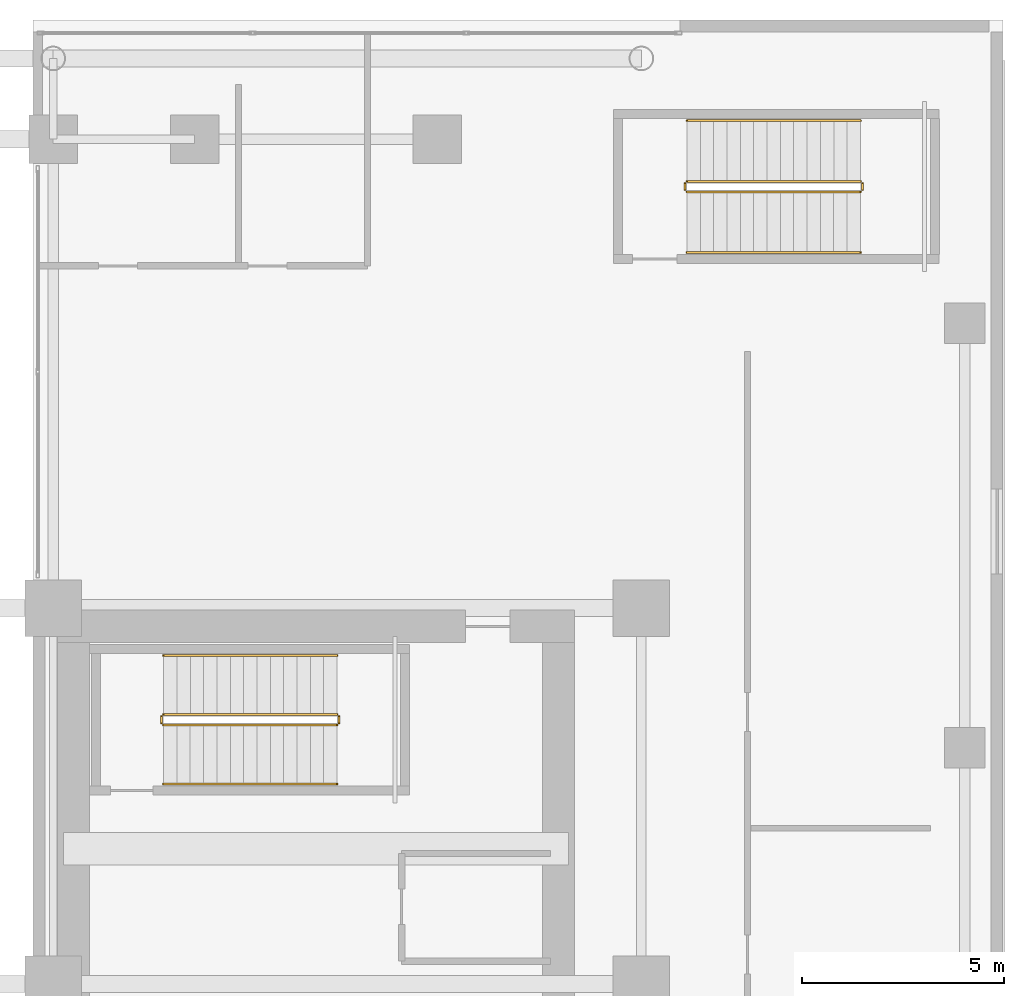
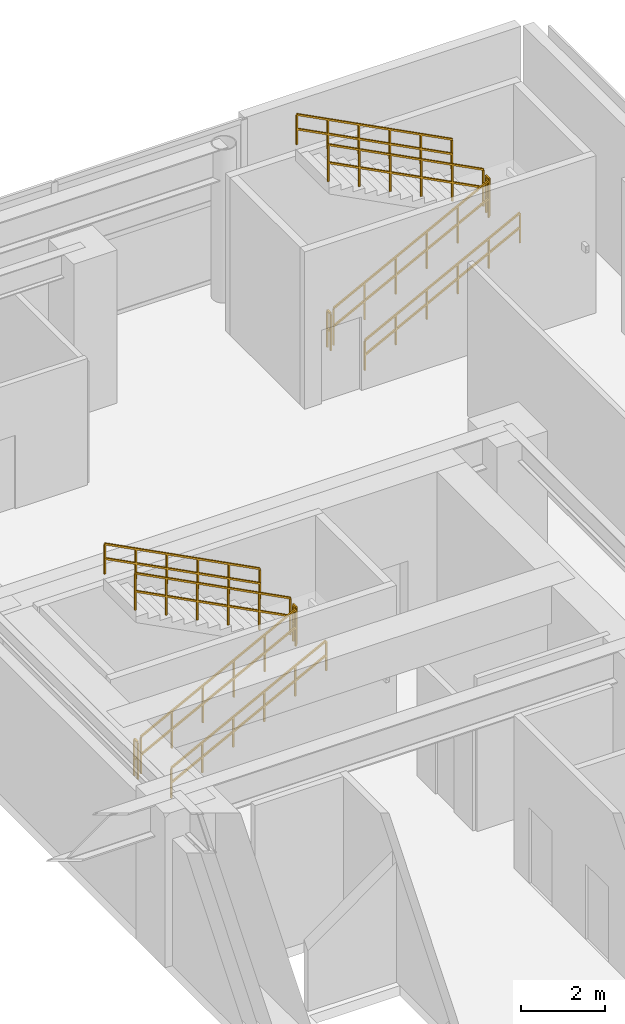
# One storey, part 29 of 30: 12 railings.
"""IFC4 building model written with IfcOpenShell, lengths in metres."""

from ifc_helpers import new_model, si_unit, direction, frame, origin, origin_2d, place, context, subcontext, project, spatial, rectangle, extrude, material, type_object, element, save


model = new_model("IFC4")

# Units and contexts
model_context = context("Model", 3, precision=1e-05, world=origin(), true_north=direction((0.0, 1.0)))
body_context = subcontext(model_context, "Body", "Model", "MODEL_VIEW")
ifc_project = project(units=[si_unit("LENGTHUNIT", "METRE"), si_unit("AREAUNIT", "SQUARE_METRE"), si_unit("VOLUMEUNIT", "CUBIC_METRE"), si_unit("PLANEANGLEUNIT", "RADIAN"), si_unit("MASSUNIT", "GRAM", prefix="KILO")], contexts=[model_context])

# Site, building, storey
site_placement = place(None, origin())
site = spatial("IfcSite", under=ifc_project, at=site_placement, CompositionType="ELEMENT")
building_placement = place(site_placement, origin())
building = spatial("IfcBuilding", under=site, at=building_placement, Name="Ocotamira Hotel", CompositionType="ELEMENT")
storey_placement = place(building_placement, frame((0.0, 0.0, 19.199951171875)))
storey = spatial("IfcBuildingStorey", under=building, at=storey_placement, Name="L04", CompositionType="ELEMENT", Elevation=19.199951171875)

# Railings
ifc_material_1 = material(Name="Brushed stainless steel handrail", Category="steel")
railing_type_1 = type_object("IfcRailingType", Name="RL-HAND-900", PredefinedType="HANDRAIL", material=ifc_material_1)
railing_1_placement = place(storey_placement, frame((43.22998046875, 33.10009765625, 0.343017578125)))
element("IfcRailing", 1, at=railing_1_placement, inside=storey, type_object=railing_type_1, Name="L04 ST-4 stair handrail 1", PredefinedType="HANDRAIL", context=body_context, shape_type="SweptSolid", body=[
    extrude(rectangle(XDim=0.048095703125, YDim=0.048095703125, at=origin_2d()), frame((0.0, 0.0, 0.8759765625), z_axis=(0.887411858541, 0.0, 0.46097743255), x_axis=(0.0, 1.0, 0.0)), (0.0, 0.0, 1.0), 4.834228515625),
    extrude(rectangle(XDim=0.048095703125, YDim=0.048095703125, at=origin_2d()), frame((0.0, 0.0, 0.449951171875), z_axis=(0.887411858541, 0.0, 0.46097743255), x_axis=(0.0, 1.0, 0.0)), (0.0, 0.0, 1.0), 4.834228515625),
    extrude(rectangle(XDim=0.0419921875, YDim=0.0419921875, at=origin_2d()), origin(), (0.0, 0.0, 1.0), 0.851806640625),
    extrude(rectangle(XDim=0.0419921875, YDim=0.0419921875, at=origin_2d()), frame((0.85791015625, 0.0, 0.44580078125)), (0.0, 0.0, 1.0), 0.851806640625),
    extrude(rectangle(XDim=0.0419921875, YDim=0.0419921875, at=origin_2d()), frame((1.716064453125, 0.0, 0.891357421875)), (0.0, 0.0, 1.0), 0.851806640625),
    extrude(rectangle(XDim=0.0419921875, YDim=0.0419921875, at=origin_2d()), frame((2.573974609375, 0.0, 1.337158203125)), (0.0, 0.0, 1.0), 0.851806640625),
    extrude(rectangle(XDim=0.0419921875, YDim=0.0419921875, at=origin_2d()), frame((3.43212890625, 0.0, 1.78271484375)), (0.0, 0.0, 1.0), 0.851806640625),
    extrude(rectangle(XDim=0.0419921875, YDim=0.0419921875, at=origin_2d()), frame((4.2900390625, 0.0, 2.228515625)), (0.0, 0.0, 1.0), 0.851806640625),
])
railing_2_placement = place(storey_placement, frame((47.52001953125, 36.280029296875, 2.742919921875)))
element("IfcRailing", 2, at=railing_2_placement, inside=storey, type_object=railing_type_1, Name="L04 ST-4 stair handrail 2", PredefinedType="HANDRAIL", context=body_context, shape_type="SweptSolid", body=[
    extrude(rectangle(XDim=0.048095703125, YDim=0.048095703125, at=origin_2d()), frame((0.0, 0.0, 0.8759765625), z_axis=(-0.887411858541, 0.0, 0.46097743255), x_axis=(0.0, -1.0, 0.0)), (0.0, 0.0, 1.0), 4.834228515625),
    extrude(rectangle(XDim=0.048095703125, YDim=0.048095703125, at=origin_2d()), frame((0.0, 0.0, 0.449951171875), z_axis=(-0.887411858541, 0.0, 0.46097743255), x_axis=(0.0, -1.0, 0.0)), (0.0, 0.0, 1.0), 4.834228515625),
    extrude(rectangle(XDim=0.0419921875, YDim=0.0419921875, at=origin_2d()), origin(), (0.0, 0.0, 1.0), 0.851806640625),
    extrude(rectangle(XDim=0.0419921875, YDim=0.0419921875, at=origin_2d()), frame((-0.85791015625, 0.0, 0.44580078125)), (0.0, 0.0, 1.0), 0.851806640625),
    extrude(rectangle(XDim=0.0419921875, YDim=0.0419921875, at=origin_2d()), frame((-1.716064453125, 0.0, 0.891357421875)), (0.0, 0.0, 1.0), 0.851806640625),
    extrude(rectangle(XDim=0.0419921875, YDim=0.0419921875, at=origin_2d()), frame((-2.573974609375, 0.0, 1.337158203125)), (0.0, 0.0, 1.0), 0.851806640625),
    extrude(rectangle(XDim=0.0419921875, YDim=0.0419921875, at=origin_2d()), frame((-3.43212890625, 0.0, 1.78271484375)), (0.0, 0.0, 1.0), 0.851806640625),
    extrude(rectangle(XDim=0.0419921875, YDim=0.0419921875, at=origin_2d()), frame((-4.2900390625, 0.0, 2.228515625)), (0.0, 0.0, 1.0), 0.851806640625),
])
railing_3_placement = place(storey_placement, frame((56.179931640625, 46.25, 0.343017578125)))
element("IfcRailing", 3, at=railing_3_placement, inside=storey, type_object=railing_type_1, Name="L04 ST-6 stair handrail 1", PredefinedType="HANDRAIL", context=body_context, shape_type="SweptSolid", body=[
    extrude(rectangle(XDim=0.048095703125, YDim=0.048095703125, at=origin_2d()), frame((0.0, 0.0, 0.8759765625), z_axis=(0.887411858541, 0.0, 0.46097743255), x_axis=(0.0, 1.0, 0.0)), (0.0, 0.0, 1.0), 4.834228515625),
    extrude(rectangle(XDim=0.048095703125, YDim=0.048095703125, at=origin_2d()), frame((0.0, 0.0, 0.449951171875), z_axis=(0.887411858541, 0.0, 0.46097743255), x_axis=(0.0, 1.0, 0.0)), (0.0, 0.0, 1.0), 4.834228515625),
    extrude(rectangle(XDim=0.0419921875, YDim=0.0419921875, at=origin_2d()), origin(), (0.0, 0.0, 1.0), 0.851806640625),
    extrude(rectangle(XDim=0.0419921875, YDim=0.0419921875, at=origin_2d()), frame((0.85791015625, 0.0, 0.44580078125)), (0.0, 0.0, 1.0), 0.851806640625),
    extrude(rectangle(XDim=0.0419921875, YDim=0.0419921875, at=origin_2d()), frame((1.716064453125, 0.0, 0.891357421875)), (0.0, 0.0, 1.0), 0.851806640625),
    extrude(rectangle(XDim=0.0419921875, YDim=0.0419921875, at=origin_2d()), frame((2.573974609375, 0.0, 1.337158203125)), (0.0, 0.0, 1.0), 0.851806640625),
    extrude(rectangle(XDim=0.0419921875, YDim=0.0419921875, at=origin_2d()), frame((3.43212890625, 0.0, 1.78271484375)), (0.0, 0.0, 1.0), 0.851806640625),
    extrude(rectangle(XDim=0.0419921875, YDim=0.0419921875, at=origin_2d()), frame((4.2900390625, 0.0, 2.228515625)), (0.0, 0.0, 1.0), 0.851806640625),
])
railing_4_placement = place(storey_placement, frame((60.469970703125, 49.510009765625, 2.742919921875)))
element("IfcRailing", 4, at=railing_4_placement, inside=storey, type_object=railing_type_1, Name="L04 ST-6 stair handrail 2", PredefinedType="HANDRAIL", context=body_context, shape_type="SweptSolid", body=[
    extrude(rectangle(XDim=0.048095703125, YDim=0.048095703125, at=origin_2d()), frame((0.0, 0.0, 0.8759765625), z_axis=(-0.887411858541, 0.0, 0.46097743255), x_axis=(0.0, -1.0, 0.0)), (0.0, 0.0, 1.0), 4.834228515625),
    extrude(rectangle(XDim=0.048095703125, YDim=0.048095703125, at=origin_2d()), frame((0.0, 0.0, 0.449951171875), z_axis=(-0.887411858541, 0.0, 0.46097743255), x_axis=(0.0, -1.0, 0.0)), (0.0, 0.0, 1.0), 4.834228515625),
    extrude(rectangle(XDim=0.0419921875, YDim=0.0419921875, at=origin_2d()), origin(), (0.0, 0.0, 1.0), 0.851806640625),
    extrude(rectangle(XDim=0.0419921875, YDim=0.0419921875, at=origin_2d()), frame((-0.85791015625, 0.0, 0.44580078125)), (0.0, 0.0, 1.0), 0.851806640625),
    extrude(rectangle(XDim=0.0419921875, YDim=0.0419921875, at=origin_2d()), frame((-1.716064453125, 0.0, 0.891357421875)), (0.0, 0.0, 1.0), 0.851806640625),
    extrude(rectangle(XDim=0.0419921875, YDim=0.0419921875, at=origin_2d()), frame((-2.573974609375, 0.0, 1.337158203125)), (0.0, 0.0, 1.0), 0.851806640625),
    extrude(rectangle(XDim=0.0419921875, YDim=0.0419921875, at=origin_2d()), frame((-3.43212890625, 0.0, 1.78271484375)), (0.0, 0.0, 1.0), 0.851806640625),
    extrude(rectangle(XDim=0.0419921875, YDim=0.0419921875, at=origin_2d()), frame((-4.2900390625, 0.0, 2.228515625)), (0.0, 0.0, 1.0), 0.851806640625),
])
ifc_material_2 = material(Name="Painted steel stair guardrail", Category="steel")
railing_type_2 = type_object("IfcRailingType", Name="RL-STAIR-1100", PredefinedType="GUARDRAIL", material=ifc_material_2)
railing_5_placement = place(storey_placement, frame((43.22998046875, 34.56005859375, 0.17138671875)))
element("IfcRailing", 5, at=railing_5_placement, inside=storey, type_object=railing_type_2, Name="L04 ST-4 stair guard 1", PredefinedType="GUARDRAIL", context=body_context, shape_type="SweptSolid", body=[
    extrude(rectangle(XDim=0.048095703125, YDim=0.048095703125, at=origin_2d()), frame((0.0, 0.0, 1.076171875), z_axis=(0.887391199149, 0.0, 0.46101720106), x_axis=(0.0, 1.0, 0.0)), (0.0, 0.0, 1.0), 4.83447265625),
    extrude(rectangle(XDim=0.048095703125, YDim=0.048095703125, at=origin_2d()), frame((0.0, 0.0, 0.550048828125), z_axis=(0.887391199149, 0.0, 0.46101720106), x_axis=(0.0, 1.0, 0.0)), (0.0, 0.0, 1.0), 4.83447265625),
    extrude(rectangle(XDim=0.0419921875, YDim=0.0419921875, at=origin_2d()), origin(), (0.0, 0.0, 1.0), 1.052001953125),
    extrude(rectangle(XDim=0.0419921875, YDim=0.0419921875, at=origin_2d()), frame((0.85791015625, 0.0, 0.44580078125)), (0.0, 0.0, 1.0), 1.052001953125),
    extrude(rectangle(XDim=0.0419921875, YDim=0.0419921875, at=origin_2d()), frame((1.716064453125, 0.0, 0.8916015625)), (0.0, 0.0, 1.0), 1.052001953125),
    extrude(rectangle(XDim=0.0419921875, YDim=0.0419921875, at=origin_2d()), frame((2.573974609375, 0.0, 1.337158203125)), (0.0, 0.0, 1.0), 1.052001953125),
    extrude(rectangle(XDim=0.0419921875, YDim=0.0419921875, at=origin_2d()), frame((3.43212890625, 0.0, 1.782958984375)), (0.0, 0.0, 1.0), 1.052001953125),
    extrude(rectangle(XDim=0.0419921875, YDim=0.0419921875, at=origin_2d()), frame((4.2900390625, 0.0, 2.228759765625)), (0.0, 0.0, 1.0), 1.052001953125),
])
railing_6_placement = place(storey_placement, frame((47.570068359375, 34.610107421875, 2.400146484375)))
element("IfcRailing", 6, at=railing_6_placement, inside=storey, type_object=railing_type_2, Name="L04 ST-4 stair guard 2", PredefinedType="GUARDRAIL", context=body_context, shape_type="SweptSolid", body=[
    extrude(rectangle(XDim=0.048095703125, YDim=0.048095703125, at=origin_2d()), frame((0.0, 0.0, 1.076171875), z_axis=(0.0, 1.0, 0.0), x_axis=(-1.0, 0.0, 0.0)), (0.0, 0.0, 1.0), 0.159912109375),
    extrude(rectangle(XDim=0.048095703125, YDim=0.048095703125, at=origin_2d()), frame((0.0, 0.0, 0.550048828125), z_axis=(0.0, 1.0, 0.0), x_axis=(-1.0, 0.0, 0.0)), (0.0, 0.0, 1.0), 0.159912109375),
    extrude(rectangle(XDim=0.0419921875, YDim=0.0419921875, at=origin_2d()), origin(), (0.0, 0.0, 1.0), 1.052001953125),
    extrude(rectangle(XDim=0.0419921875, YDim=0.0419921875, at=origin_2d()), frame((0.0, 0.159912109375, 0.0)), (0.0, 0.0, 1.0), 1.052001953125),
])
railing_7_placement = place(storey_placement, frame((47.52001953125, 34.820068359375, 2.571533203125)))
element("IfcRailing", 7, at=railing_7_placement, inside=storey, type_object=railing_type_2, Name="L04 ST-4 stair guard 3", PredefinedType="GUARDRAIL", context=body_context, shape_type="SweptSolid", body=[
    extrude(rectangle(XDim=0.048095703125, YDim=0.048095703125, at=origin_2d()), frame((0.0, 0.0, 1.076171875), z_axis=(-0.887411858541, 0.0, 0.46097743255), x_axis=(0.0, -1.0, 0.0)), (0.0, 0.0, 1.0), 4.834228515625),
    extrude(rectangle(XDim=0.048095703125, YDim=0.048095703125, at=origin_2d()), frame((0.0, 0.0, 0.550048828125), z_axis=(-0.887411858541, 0.0, 0.46097743255), x_axis=(0.0, -1.0, 0.0)), (0.0, 0.0, 1.0), 4.834228515625),
    extrude(rectangle(XDim=0.0419921875, YDim=0.0419921875, at=origin_2d()), origin(), (0.0, 0.0, 1.0), 1.052001953125),
    extrude(rectangle(XDim=0.0419921875, YDim=0.0419921875, at=origin_2d()), frame((-0.85791015625, 0.0, 0.44580078125)), (0.0, 0.0, 1.0), 1.052001953125),
    extrude(rectangle(XDim=0.0419921875, YDim=0.0419921875, at=origin_2d()), frame((-1.716064453125, 0.0, 0.891357421875)), (0.0, 0.0, 1.0), 1.052001953125),
    extrude(rectangle(XDim=0.0419921875, YDim=0.0419921875, at=origin_2d()), frame((-2.573974609375, 0.0, 1.337158203125)), (0.0, 0.0, 1.0), 1.052001953125),
    extrude(rectangle(XDim=0.0419921875, YDim=0.0419921875, at=origin_2d()), frame((-3.43212890625, 0.0, 1.78271484375)), (0.0, 0.0, 1.0), 1.052001953125),
    extrude(rectangle(XDim=0.0419921875, YDim=0.0419921875, at=origin_2d()), frame((-4.2900390625, 0.0, 2.228515625)), (0.0, 0.0, 1.0), 1.052001953125),
])
railing_8_placement = place(storey_placement, frame((43.179931640625, 34.610107421875, 0.0)))
element("IfcRailing", 8, at=railing_8_placement, inside=storey, type_object=railing_type_2, Name="L04 ST-4 stair guard 4", PredefinedType="GUARDRAIL", context=body_context, shape_type="SweptSolid", body=[
    extrude(rectangle(XDim=0.048095703125, YDim=0.048095703125, at=origin_2d()), frame((0.0, 0.0, 1.076171875), z_axis=(0.0, 1.0, 0.0), x_axis=(-1.0, 0.0, 0.0)), (0.0, 0.0, 1.0), 0.159912109375),
    extrude(rectangle(XDim=0.048095703125, YDim=0.048095703125, at=origin_2d()), frame((0.0, 0.0, 0.550048828125), z_axis=(0.0, 1.0, 0.0), x_axis=(-1.0, 0.0, 0.0)), (0.0, 0.0, 1.0), 0.159912109375),
    extrude(rectangle(XDim=0.0419921875, YDim=0.0419921875, at=origin_2d()), origin(), (0.0, 0.0, 1.0), 1.052001953125),
    extrude(rectangle(XDim=0.0419921875, YDim=0.0419921875, at=origin_2d()), frame((0.0, 0.159912109375, 0.0)), (0.0, 0.0, 1.0), 1.052001953125),
])
railing_9_placement = place(storey_placement, frame((56.179931640625, 47.75, 0.17138671875)))
element("IfcRailing", 9, at=railing_9_placement, inside=storey, type_object=railing_type_2, Name="L04 ST-6 stair guard 1", PredefinedType="GUARDRAIL", context=body_context, shape_type="SweptSolid", body=[
    extrude(rectangle(XDim=0.048095703125, YDim=0.048095703125, at=origin_2d()), frame((0.0, 0.0, 1.076171875), z_axis=(0.887391199149, 0.0, 0.46101720106), x_axis=(0.0, 1.0, 0.0)), (0.0, 0.0, 1.0), 4.83447265625),
    extrude(rectangle(XDim=0.048095703125, YDim=0.048095703125, at=origin_2d()), frame((0.0, 0.0, 0.550048828125), z_axis=(0.887391199149, 0.0, 0.46101720106), x_axis=(0.0, 1.0, 0.0)), (0.0, 0.0, 1.0), 4.83447265625),
    extrude(rectangle(XDim=0.0419921875, YDim=0.0419921875, at=origin_2d()), origin(), (0.0, 0.0, 1.0), 1.052001953125),
    extrude(rectangle(XDim=0.0419921875, YDim=0.0419921875, at=origin_2d()), frame((0.85791015625, 0.0, 0.44580078125)), (0.0, 0.0, 1.0), 1.052001953125),
    extrude(rectangle(XDim=0.0419921875, YDim=0.0419921875, at=origin_2d()), frame((1.716064453125, 0.0, 0.8916015625)), (0.0, 0.0, 1.0), 1.052001953125),
    extrude(rectangle(XDim=0.0419921875, YDim=0.0419921875, at=origin_2d()), frame((2.573974609375, 0.0, 1.337158203125)), (0.0, 0.0, 1.0), 1.052001953125),
    extrude(rectangle(XDim=0.0419921875, YDim=0.0419921875, at=origin_2d()), frame((3.43212890625, 0.0, 1.782958984375)), (0.0, 0.0, 1.0), 1.052001953125),
    extrude(rectangle(XDim=0.0419921875, YDim=0.0419921875, at=origin_2d()), frame((4.2900390625, 0.0, 2.228759765625)), (0.0, 0.0, 1.0), 1.052001953125),
])
railing_10_placement = place(storey_placement, frame((60.52001953125, 47.800048828125, 2.400146484375)))
element("IfcRailing", 10, at=railing_10_placement, inside=storey, type_object=railing_type_2, Name="L04 ST-6 stair guard 2", PredefinedType="GUARDRAIL", context=body_context, shape_type="SweptSolid", body=[
    extrude(rectangle(XDim=0.048095703125, YDim=0.048095703125, at=origin_2d()), frame((0.0, 0.0, 1.076171875), z_axis=(0.0, 1.0, 0.0), x_axis=(-1.0, 0.0, 0.0)), (0.0, 0.0, 1.0), 0.159912109375),
    extrude(rectangle(XDim=0.048095703125, YDim=0.048095703125, at=origin_2d()), frame((0.0, 0.0, 0.550048828125), z_axis=(0.0, 1.0, 0.0), x_axis=(-1.0, 0.0, 0.0)), (0.0, 0.0, 1.0), 0.159912109375),
    extrude(rectangle(XDim=0.0419921875, YDim=0.0419921875, at=origin_2d()), origin(), (0.0, 0.0, 1.0), 1.052001953125),
    extrude(rectangle(XDim=0.0419921875, YDim=0.0419921875, at=origin_2d()), frame((0.0, 0.159912109375, 0.0)), (0.0, 0.0, 1.0), 1.052001953125),
])
railing_11_placement = place(storey_placement, frame((60.469970703125, 48.010009765625, 2.571533203125)))
element("IfcRailing", 11, at=railing_11_placement, inside=storey, type_object=railing_type_2, Name="L04 ST-6 stair guard 3", PredefinedType="GUARDRAIL", context=body_context, shape_type="SweptSolid", body=[
    extrude(rectangle(XDim=0.048095703125, YDim=0.048095703125, at=origin_2d()), frame((0.0, 0.0, 1.076171875), z_axis=(-0.887411858541, 0.0, 0.46097743255), x_axis=(0.0, -1.0, 0.0)), (0.0, 0.0, 1.0), 4.834228515625),
    extrude(rectangle(XDim=0.048095703125, YDim=0.048095703125, at=origin_2d()), frame((0.0, 0.0, 0.550048828125), z_axis=(-0.887411858541, 0.0, 0.46097743255), x_axis=(0.0, -1.0, 0.0)), (0.0, 0.0, 1.0), 4.834228515625),
    extrude(rectangle(XDim=0.0419921875, YDim=0.0419921875, at=origin_2d()), origin(), (0.0, 0.0, 1.0), 1.052001953125),
    extrude(rectangle(XDim=0.0419921875, YDim=0.0419921875, at=origin_2d()), frame((-0.85791015625, 0.0, 0.44580078125)), (0.0, 0.0, 1.0), 1.052001953125),
    extrude(rectangle(XDim=0.0419921875, YDim=0.0419921875, at=origin_2d()), frame((-1.716064453125, 0.0, 0.891357421875)), (0.0, 0.0, 1.0), 1.052001953125),
    extrude(rectangle(XDim=0.0419921875, YDim=0.0419921875, at=origin_2d()), frame((-2.573974609375, 0.0, 1.337158203125)), (0.0, 0.0, 1.0), 1.052001953125),
    extrude(rectangle(XDim=0.0419921875, YDim=0.0419921875, at=origin_2d()), frame((-3.43212890625, 0.0, 1.78271484375)), (0.0, 0.0, 1.0), 1.052001953125),
    extrude(rectangle(XDim=0.0419921875, YDim=0.0419921875, at=origin_2d()), frame((-4.2900390625, 0.0, 2.228515625)), (0.0, 0.0, 1.0), 1.052001953125),
])
railing_12_placement = place(storey_placement, frame((56.1298828125, 47.800048828125, 0.0)))
element("IfcRailing", 12, at=railing_12_placement, inside=storey, type_object=railing_type_2, Name="L04 ST-6 stair guard 4", PredefinedType="GUARDRAIL", context=body_context, shape_type="SweptSolid", body=[
    extrude(rectangle(XDim=0.048095703125, YDim=0.048095703125, at=origin_2d()), frame((0.0, 0.0, 1.076171875), z_axis=(0.0, 1.0, 0.0), x_axis=(-1.0, 0.0, 0.0)), (0.0, 0.0, 1.0), 0.159912109375),
    extrude(rectangle(XDim=0.048095703125, YDim=0.048095703125, at=origin_2d()), frame((0.0, 0.0, 0.550048828125), z_axis=(0.0, 1.0, 0.0), x_axis=(-1.0, 0.0, 0.0)), (0.0, 0.0, 1.0), 0.159912109375),
    extrude(rectangle(XDim=0.0419921875, YDim=0.0419921875, at=origin_2d()), origin(), (0.0, 0.0, 1.0), 1.052001953125),
    extrude(rectangle(XDim=0.0419921875, YDim=0.0419921875, at=origin_2d()), frame((0.0, 0.159912109375, 0.0)), (0.0, 0.0, 1.0), 1.052001953125),
])

save(model, "model.ifc")
